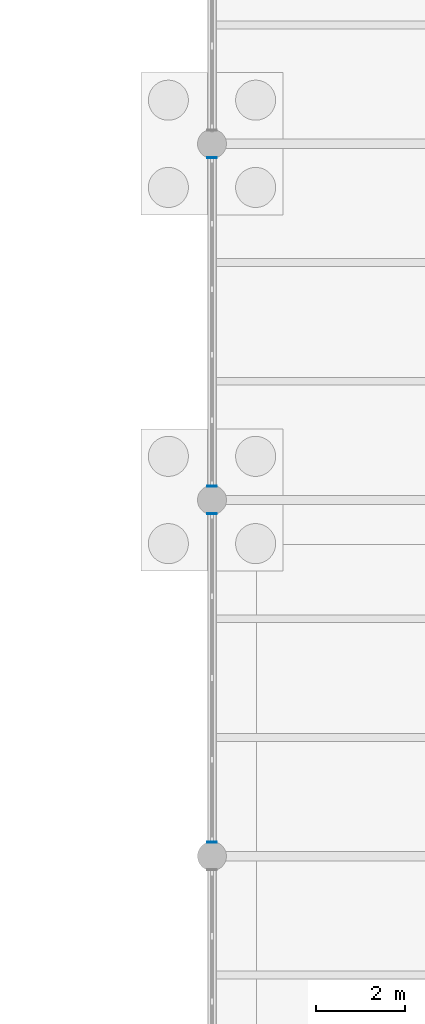
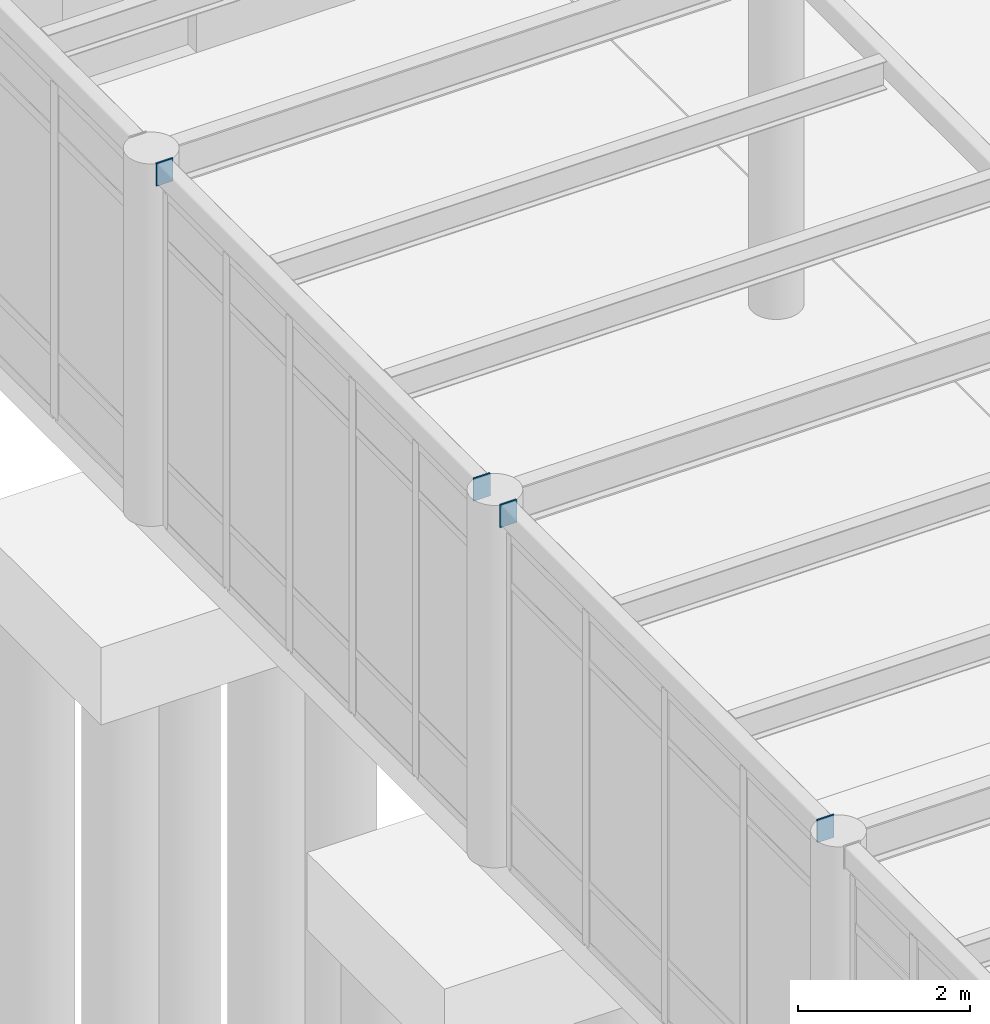
# One storey, part 103 of 138: 4 discrete accessories.
"""IFC4 building model written with IfcOpenShell, lengths in metres."""

from ifc_helpers import new_model, si_unit, direction, frame, origin, origin_2d, place, context, subcontext, project, spatial, rectangle, extrude, material, layer, layer_set, type_object, element, save


model = new_model("IFC4")

# Units and contexts
model_context = context("Model", 3, precision=1e-05, world=origin(), true_north=direction((0.0, 1.0)))
body_context = subcontext(model_context, "Body", "Model", "MODEL_VIEW")
ifc_project = project(units=[si_unit("LENGTHUNIT", "METRE"), si_unit("AREAUNIT", "SQUARE_METRE"), si_unit("VOLUMEUNIT", "CUBIC_METRE"), si_unit("PLANEANGLEUNIT", "RADIAN"), si_unit("MASSUNIT", "GRAM", prefix="KILO")], contexts=[model_context])

# Site, building, storey
site_placement = place(None, origin())
site = spatial("IfcSite", under=ifc_project, at=site_placement, CompositionType="ELEMENT")
building_placement = place(site_placement, origin())
building = spatial("IfcBuilding", under=site, at=building_placement, Name="Kranzveld Transit Interchange", CompositionType="ELEMENT")
storey_placement = place(building_placement, origin())
storey = spatial("IfcBuildingStorey", under=building, at=storey_placement, Name="L00", CompositionType="ELEMENT", Elevation=0.0)

# Discrete accessories
ifc_material = material(Name="Steel S355JR", Category="steel")
ifc_layer = layer(ifc_material, 0.02001953125)
ifc_layer_set = layer_set([ifc_layer], Name="Steel S355JR")
discrete_accessory_type = type_object("IfcDiscreteAccessoryType", Name="Hollow Section End Cap Bracket 20 S355JR", PredefinedType="BRACKET", material=ifc_layer_set)
for number, where, z_axis, x_axis, name in (
    (1, (58.800048828125, 64.319091796875, 5.0), (0.0, -1.0, 0.0), (1.0, 0.0, 0.0), "Hollow Section End Cap SP-RHS300-1"),
    (2, (58.800048828125, 71.680908203125, 5.0), (0.0, 1.0, 0.0), (-1.0, 0.0, 0.0), "Hollow Section End Cap SP-RHS300-2"),
    (3, (58.800048828125, 72.319091796875, 5.0), (0.0, -1.0, 0.0), (1.0, 0.0, 0.0), "Hollow Section End Cap SP-RHS300-1"),
    (4, (58.800048828125, 79.680908203125, 5.0), (0.0, 1.0, 0.0), (-1.0, 0.0, 0.0), "Hollow Section End Cap SP-RHS300-2"),
):
    element("IfcDiscreteAccessory", number, at=place(storey_placement, frame(where, z_axis=z_axis, x_axis=x_axis)), inside=storey, type_object=discrete_accessory_type, Name=name, PredefinedType="BRACKET", context=body_context, shape_type="SweptSolid", body=[
        extrude(rectangle(XDim=0.22412109375, YDim=0.323974609375, at=origin_2d()), origin(), (0.0, 0.0, 1.0), 0.02001953125),
    ])

save(model, "model.ifc")
